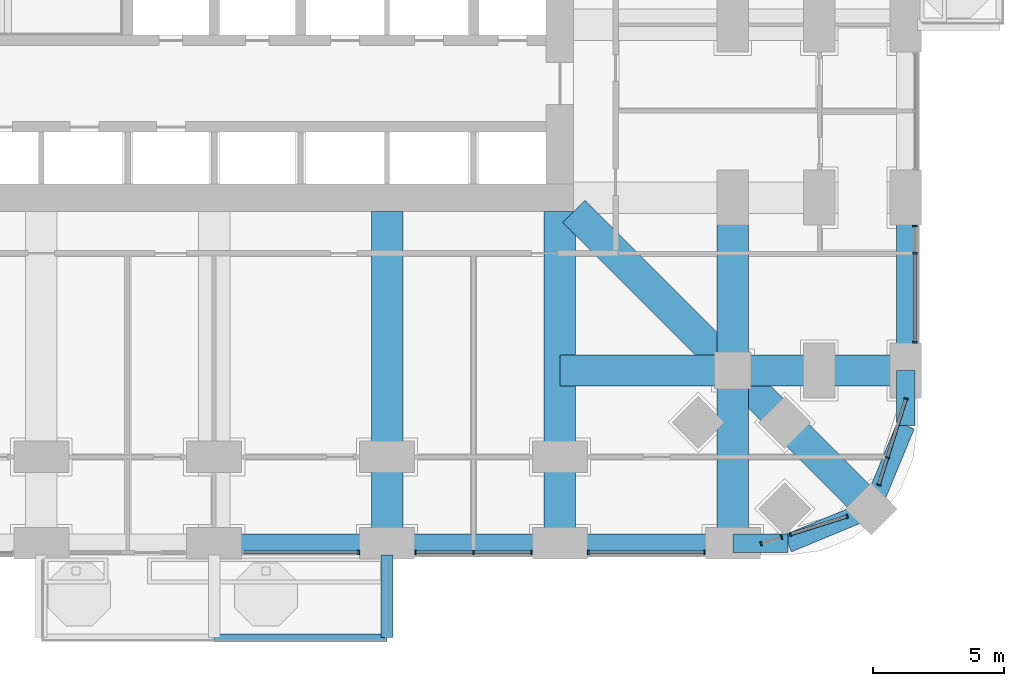
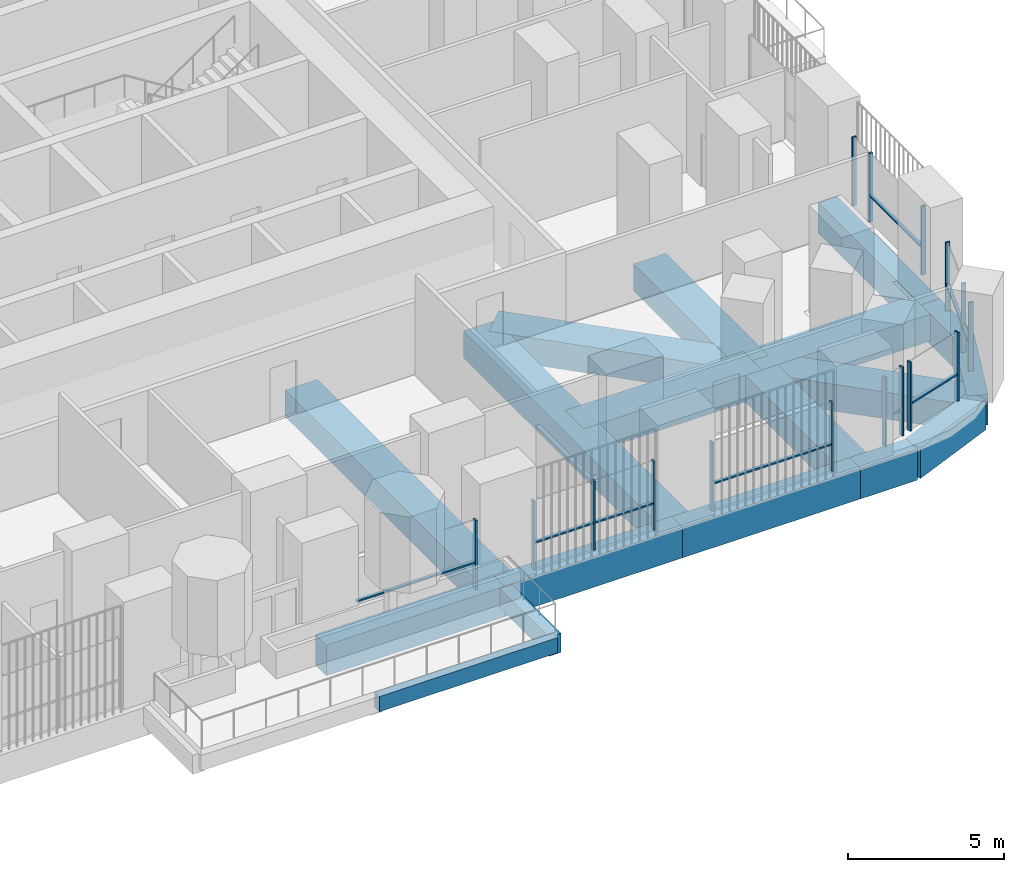
# One storey, part 4 of 26: 24 members, 18 beams, 7 elements without a shape of their own.
"""IFC4 building model written with IfcOpenShell, lengths in metres."""

from ifc_helpers import new_model, si_unit, direction, frame, origin, origin_2d, place, context, subcontext, project, spatial, rectangle, extrude, material, material_profile, profile_set, type_object, element, aggregate, save


model = new_model("IFC4")

# Units and contexts
model_context = context("Model", 3, precision=1e-05, world=origin(), true_north=direction((0.0, 1.0)))
body_context = subcontext(model_context, "Body", "Model", "MODEL_VIEW")
ifc_project = project(units=[si_unit("LENGTHUNIT", "METRE"), si_unit("AREAUNIT", "SQUARE_METRE"), si_unit("VOLUMEUNIT", "CUBIC_METRE"), si_unit("PLANEANGLEUNIT", "RADIAN"), si_unit("MASSUNIT", "GRAM", prefix="KILO")], contexts=[model_context])

# Site, building, storey
site_placement = place(None, origin())
site = spatial("IfcSite", under=ifc_project, at=site_placement, CompositionType="ELEMENT")
building_placement = place(site_placement, origin())
building = spatial("IfcBuilding", under=site, at=building_placement, Name="Cobogo Forest Laboratory Tower", CompositionType="ELEMENT")
storey_placement = place(building_placement, frame((0.0, 0.0, 33.89990234375)))
storey = spatial("IfcBuildingStorey", under=building, at=storey_placement, Name="L07", CompositionType="ELEMENT", Elevation=33.89990234375)

# Beams
ifc_material_1 = material(Name="Concrete HA-40 (C40/50)", Category="concrete")
ifc_material_profile_1 = material_profile(ifc_material_1, rectangle(XDim=0.449951171875, YDim=0.75, at=origin_2d()), Name="RC 450x750")
ifc_profile_set_1 = profile_set([ifc_material_profile_1], Name="Concrete HA-40 (C40/50)")
beam_type_1 = type_object("IfcBeamType", Name="Balcony cantilever beam 450x750", PredefinedType="BEAM", material=ifc_profile_set_1)
beam_1_placement = place(storey_placement, frame((33.0, -0.449951171875, -0.625), z_axis=(0.0, -1.0, 0.0), x_axis=(1.0, 0.0, 0.0)))
element("IfcBeam", 1, at=beam_1_placement, inside=storey, type_object=beam_type_1, Name="CB1 BAL-S1-C3 L07", PredefinedType="BEAM", context=body_context, shape_type="SweptSolid", body=[
    extrude(rectangle(XDim=0.449951171875, YDim=0.75, at=origin_2d()), origin(), (0.0, 0.0, 1.0), 3.150146484375),
])
ifc_material_profile_2 = material_profile(ifc_material_1, rectangle(XDim=0.300048828125, YDim=0.60009765625, at=origin_2d()), Name="RC 300x600")
ifc_profile_set_2 = profile_set([ifc_material_profile_2], Name="Concrete HA-40 (C40/50)")
beam_type_2 = type_object("IfcBeamType", Name="Balcony edge beam 300x600", PredefinedType="BEAM", material=ifc_profile_set_2)
beam_2_placement = place(storey_placement, frame((26.39990234375, -3.60009765625, -0.5498046875), z_axis=(1.0, 0.0, 0.0), x_axis=(0.0, 1.0, 0.0)))
element("IfcBeam", 2, at=beam_2_placement, inside=storey, type_object=beam_type_2, Name="BB1 BAL-S1-T2 L07", PredefinedType="BEAM", context=body_context, shape_type="SweptSolid", body=[
    extrude(rectangle(XDim=0.300048828125, YDim=0.60009765625, at=origin_2d()), origin(), (0.0, 0.0, 1.0), 6.60009765625),
])
ifc_material_profile_3 = material_profile(ifc_material_1, rectangle(XDim=1.199951171875, YDim=1.050048828125, at=origin_2d()), Name="RC 1200x1050")
ifc_profile_set_3 = profile_set([ifc_material_profile_3], Name="Concrete HA-40 (C40/50)")
beam_type_3 = type_object("IfcBeamType", Name="Laboratory floor wide beam 1200x1050", PredefinedType="BEAM", material=ifc_profile_set_3)
for number, where, z_axis, x_axis, name in (
    (3, (33.0, 12.675048828125, -0.824951171875), (0.0, -1.0, 0.0), (1.0, 0.0, 0.0), "RB1 R-6-S L07"),
    (4, (39.60009765625, 12.675048828125, -0.824951171875), (0.0, -1.0, 0.0), (1.0, 0.0, 0.0), "RB1 R-7-S L07"),
):
    element("IfcBeam", number, at=place(storey_placement, frame(where, z_axis=z_axis, x_axis=x_axis)), inside=storey, type_object=beam_type_3, Name=name, PredefinedType="BEAM", context=body_context, shape_type="SweptSolid", body=[
        extrude(rectangle(XDim=1.199951171875, YDim=1.050048828125, at=origin_2d()), origin(), (0.0, 0.0, 1.0), 12.675048828125),
    ])
beam_3_placement = place(storey_placement, frame((46.199951171875, 0.0, -0.824951171875), z_axis=(0.0, 1.0, 0.0), x_axis=(-1.0, 0.0, 0.0)))
element("IfcBeam", 5, at=beam_3_placement, inside=storey, type_object=beam_type_3, Name="RB1 G-SE-XF L07", PredefinedType="BEAM", context=body_context, shape_type="SweptSolid", body=[
    extrude(rectangle(XDim=1.199951171875, YDim=1.050048828125, at=origin_2d()), origin(), (0.0, 0.0, 1.0), 6.60009765625),
])
beam_4_placement = place(storey_placement, frame((46.199951171875, 6.60009765625, -0.824951171875), z_axis=(0.0, 1.0, 0.0), x_axis=(-1.0, 0.0, 0.0)))
element("IfcBeam", 6, at=beam_4_placement, inside=storey, type_object=beam_type_3, Name="RB1 G-SE-XC L07", PredefinedType="BEAM", context=body_context, shape_type="SweptSolid", body=[
    extrude(rectangle(XDim=1.199951171875, YDim=1.050048828125, at=origin_2d()), origin(), (0.0, 0.0, 1.0), 6.599853515625),
])
beam_5_placement = place(storey_placement, frame((52.800048828125, 6.60009765625, -0.824951171875), z_axis=(-1.0, 0.0, 0.0), x_axis=(0.0, -1.0, 0.0)))
element("IfcBeam", 7, at=beam_5_placement, inside=storey, type_object=beam_type_3, Name="RB1 G-SE-YF L07", PredefinedType="BEAM", context=body_context, shape_type="SweptSolid", body=[
    extrude(rectangle(XDim=1.199951171875, YDim=1.050048828125, at=origin_2d()), origin(), (0.0, 0.0, 1.0), 6.60009765625),
])
beam_6_placement = place(storey_placement, frame((46.199951171875, 6.60009765625, -0.824951171875), z_axis=(-1.0, 0.0, 0.0), x_axis=(0.0, -1.0, 0.0)))
element("IfcBeam", 8, at=beam_6_placement, inside=storey, type_object=beam_type_3, Name="RB1 G-SE-YC L07", PredefinedType="BEAM", context=body_context, shape_type="SweptSolid", body=[
    extrude(rectangle(XDim=1.199951171875, YDim=1.050048828125, at=origin_2d()), origin(), (0.0, 0.0, 1.0), 6.599853515625),
])
beam_7_placement = place(storey_placement, frame((51.48193359375, 1.318115234375, -0.824951171875), z_axis=(-0.707106781187, 0.707106781187, 0.0), x_axis=(-0.707106781187, -0.707106781187, 0.0)))
element("IfcBeam", 9, at=beam_7_placement, inside=storey, type_object=beam_type_3, Name="RB1 G-SE-D1 L07", PredefinedType="BEAM", context=body_context, shape_type="SweptSolid", body=[
    extrude(rectangle(XDim=1.199951171875, YDim=1.050048828125, at=origin_2d()), origin(), (0.0, 0.0, 1.0), 7.469970703125),
])
beam_8_placement = place(storey_placement, frame((46.199951171875, 6.60009765625, -0.824951171875), z_axis=(-0.707106781187, 0.707106781187, 0.0), x_axis=(-0.707106781187, -0.707106781187, 0.0)))
element("IfcBeam", 10, at=beam_8_placement, inside=storey, type_object=beam_type_3, Name="RB1 G-SE-D2 L07", PredefinedType="BEAM", context=body_context, shape_type="SweptSolid", body=[
    extrude(rectangle(XDim=1.199951171875, YDim=1.050048828125, at=origin_2d()), origin(), (0.0, 0.0, 1.0), 8.59130859375),
])

# Curtain wall, member
ifc_material_2 = material(Name="Aluminium curtain wall", Category="aluminium")
curtain_wall_type = type_object("IfcCurtainWallType", Name="CW-1 unitised curtain wall, clear glazing, laboratory floors zones A and B", PredefinedType="USERDEFINED", material=ifc_material_2)
curtain_wall_1_placement = place(storey_placement, origin())
curtain_wall_1 = element("IfcCurtainWall", 11, at=curtain_wall_1_placement, inside=storey, type_object=curtain_wall_type, Name="Curtain wall 04 L07", ObjectType="UNITISED CURTAIN WALL", PredefinedType="USERDEFINED")
ifc_material_3 = material(Name="Aluminium mullion", Category="aluminium")
ifc_material_profile_4 = material_profile(ifc_material_3, rectangle(XDim=0.06005859375, YDim=0.159912109375, at=origin_2d()), Name="AL 60x160")
ifc_profile_set_4 = profile_set([ifc_material_profile_4], Name="Aluminium mullion")
member_type_1 = type_object("IfcMemberType", Name="MU-1 aluminium mullion 60x160", PredefinedType="MULLION", material=ifc_profile_set_4)
member_1_placement = place(storey_placement, frame((31.919921875, -0.35009765625, 0.0), z_axis=(0.0, 0.0, 1.0), x_axis=(1.0, 0.0, 0.0)))
member_1 = element("IfcMember", 12, at=member_1_placement, type_object=member_type_1, Name="CW-1 mullion 2", PredefinedType="MULLION", context=body_context, shape_type="SweptSolid", body=[
    extrude(rectangle(XDim=0.06005859375, YDim=0.159912109375, at=origin_2d()), origin(), (0.0, 0.0, 1.0), 2.7001953125),
])

# Curtain wall, members
curtain_wall_2_placement = place(storey_placement, origin())
curtain_wall_2 = element("IfcCurtainWall", 13, at=curtain_wall_2_placement, inside=storey, type_object=curtain_wall_type, Name="Curtain wall 05 L07", ObjectType="UNITISED CURTAIN WALL", PredefinedType="USERDEFINED")
member_2_placement = place(storey_placement, frame((34.080078125, -0.35009765625, 0.0), z_axis=(0.0, 0.0, 1.0), x_axis=(1.0, 0.0, 0.0)))
member_2 = element("IfcMember", 14, at=member_2_placement, type_object=member_type_1, Name="CW-1 mullion 1", PredefinedType="MULLION", context=body_context, shape_type="SweptSolid", body=[
    extrude(rectangle(XDim=0.06005859375, YDim=0.159912109375, at=origin_2d()), origin(), (0.0, 0.0, 1.0), 2.7001953125),
])
member_3_placement = place(storey_placement, frame((36.300048828125, -0.35009765625, 0.0), z_axis=(0.0, 0.0, 1.0), x_axis=(1.0, 0.0, 0.0)))
member_3 = element("IfcMember", 15, at=member_3_placement, type_object=member_type_1, Name="CW-1 mullion 2", PredefinedType="MULLION", context=body_context, shape_type="SweptSolid", body=[
    extrude(rectangle(XDim=0.06005859375, YDim=0.159912109375, at=origin_2d()), origin(), (0.0, 0.0, 1.0), 2.7001953125),
])
member_4_placement = place(storey_placement, frame((38.52001953125, -0.35009765625, 0.0), z_axis=(0.0, 0.0, 1.0), x_axis=(1.0, 0.0, 0.0)))
member_4 = element("IfcMember", 16, at=member_4_placement, type_object=member_type_1, Name="CW-1 mullion 3", PredefinedType="MULLION", context=body_context, shape_type="SweptSolid", body=[
    extrude(rectangle(XDim=0.06005859375, YDim=0.159912109375, at=origin_2d()), origin(), (0.0, 0.0, 1.0), 2.7001953125),
])

curtain_wall_3_placement = place(storey_placement, origin())
curtain_wall_3 = element("IfcCurtainWall", 17, at=curtain_wall_3_placement, inside=storey, type_object=curtain_wall_type, Name="Curtain wall 06 L07", ObjectType="UNITISED CURTAIN WALL", PredefinedType="USERDEFINED")
member_5_placement = place(storey_placement, frame((40.679931640625, -0.35009765625, 0.0), z_axis=(0.0, 0.0, 1.0), x_axis=(1.0, 0.0, 0.0)))
member_5 = element("IfcMember", 18, at=member_5_placement, type_object=member_type_1, Name="CW-1 mullion 1", PredefinedType="MULLION", context=body_context, shape_type="SweptSolid", body=[
    extrude(rectangle(XDim=0.06005859375, YDim=0.159912109375, at=origin_2d()), origin(), (0.0, 0.0, 1.0), 2.7001953125),
])
member_6_placement = place(storey_placement, frame((45.1201171875, -0.35009765625, 0.0), z_axis=(0.0, 0.0, 1.0), x_axis=(1.0, 0.0, 0.0)))
member_6 = element("IfcMember", 19, at=member_6_placement, type_object=member_type_1, Name="CW-1 mullion 2", PredefinedType="MULLION", context=body_context, shape_type="SweptSolid", body=[
    extrude(rectangle(XDim=0.06005859375, YDim=0.159912109375, at=origin_2d()), origin(), (0.0, 0.0, 1.0), 2.7001953125),
])

curtain_wall_4_placement = place(storey_placement, origin())
curtain_wall_4 = element("IfcCurtainWall", 20, at=curtain_wall_4_placement, inside=storey, type_object=curtain_wall_type, Name="Curtain wall 07 L07", ObjectType="UNITISED CURTAIN WALL", PredefinedType="USERDEFINED")
member_7_placement = place(storey_placement, frame((47.278564453125, -0.00927734375, 0.0), z_axis=(0.0, 0.0, 1.0), x_axis=(0.953581504428, 0.301135043481, 0.0)))
member_7 = element("IfcMember", 21, at=member_7_placement, type_object=member_type_1, Name="CW-1 mullion 1", PredefinedType="MULLION", context=body_context, shape_type="SweptSolid", body=[
    extrude(rectangle(XDim=0.06005859375, YDim=0.159912109375, at=origin_2d()), origin(), (0.0, 0.0, 1.0), 2.7001953125),
])
member_8_placement = place(storey_placement, frame((48.05322265625, 0.2353515625, 0.0), z_axis=(0.0, 0.0, 1.0), x_axis=(0.953581504428, 0.301135043481, 0.0)))
member_8 = element("IfcMember", 22, at=member_8_placement, type_object=member_type_1, Name="CW-1 mullion 2", PredefinedType="MULLION", context=body_context, shape_type="SweptSolid", body=[
    extrude(rectangle(XDim=0.06005859375, YDim=0.159912109375, at=origin_2d()), origin(), (0.0, 0.0, 1.0), 2.7001953125),
])
aggregate(curtain_wall_4, [member_7, member_8])

curtain_wall_5_placement = place(storey_placement, origin())
curtain_wall_5 = element("IfcCurtainWall", 23, at=curtain_wall_5_placement, inside=storey, type_object=curtain_wall_type, Name="Curtain wall 08 L07", ObjectType="UNITISED CURTAIN WALL", PredefinedType="USERDEFINED")
member_9_placement = place(storey_placement, frame((48.403076171875, 0.345703125, 0.0), z_axis=(0.0, 0.0, 1.0), x_axis=(0.953581409645, 0.301135343623, 0.0)))
member_9 = element("IfcMember", 24, at=member_9_placement, type_object=member_type_1, Name="CW-1 mullion 1", PredefinedType="MULLION", context=body_context, shape_type="SweptSolid", body=[
    extrude(rectangle(XDim=0.06005859375, YDim=0.159912109375, at=origin_2d()), origin(), (0.0, 0.0, 1.0), 2.7001953125),
])
member_10_placement = place(storey_placement, frame((50.561279296875, 1.02734375, 0.0), z_axis=(0.0, 0.0, 1.0), x_axis=(0.953581409645, 0.301135343623, 0.0)))
member_10 = element("IfcMember", 25, at=member_10_placement, type_object=member_type_1, Name="CW-1 mullion 2", PredefinedType="MULLION", context=body_context, shape_type="SweptSolid", body=[
    extrude(rectangle(XDim=0.06005859375, YDim=0.159912109375, at=origin_2d()), origin(), (0.0, 0.0, 1.0), 2.7001953125),
])

curtain_wall_6_placement = place(storey_placement, origin())
curtain_wall_6 = element("IfcCurtainWall", 26, at=curtain_wall_6_placement, inside=storey, type_object=curtain_wall_type, Name="Curtain wall 09 L07", ObjectType="UNITISED CURTAIN WALL", PredefinedType="USERDEFINED")
member_11_placement = place(storey_placement, frame((51.772705078125, 2.23876953125, 0.0), z_axis=(0.0, 0.0, 1.0), x_axis=(0.30113535792, 0.95358140513, 0.0)))
member_11 = element("IfcMember", 27, at=member_11_placement, type_object=member_type_1, Name="CW-1 mullion 1", PredefinedType="MULLION", context=body_context, shape_type="SweptSolid", body=[
    extrude(rectangle(XDim=0.06005859375, YDim=0.159912109375, at=origin_2d()), origin(), (0.0, 0.0, 1.0), 2.7001953125),
])
member_12_placement = place(storey_placement, frame((52.100341796875, 3.27587890625, 0.0), z_axis=(0.0, 0.0, 1.0), x_axis=(0.30113535792, 0.95358140513, 0.0)))
member_12 = element("IfcMember", 28, at=member_12_placement, type_object=member_type_1, Name="CW-1 mullion 2", PredefinedType="MULLION", context=body_context, shape_type="SweptSolid", body=[
    extrude(rectangle(XDim=0.06005859375, YDim=0.159912109375, at=origin_2d()), origin(), (0.0, 0.0, 1.0), 2.7001953125),
])
member_13_placement = place(storey_placement, frame((52.809326171875, 5.521484375, 0.0), z_axis=(0.0, 0.0, 1.0), x_axis=(0.30113535792, 0.95358140513, 0.0)))
member_13 = element("IfcMember", 29, at=member_13_placement, type_object=member_type_1, Name="CW-1 mullion 3", PredefinedType="MULLION", context=body_context, shape_type="SweptSolid", body=[
    extrude(rectangle(XDim=0.06005859375, YDim=0.159912109375, at=origin_2d()), origin(), (0.0, 0.0, 1.0), 2.7001953125),
])

curtain_wall_7_placement = place(storey_placement, origin())
curtain_wall_7 = element("IfcCurtainWall", 30, at=curtain_wall_7_placement, inside=storey, type_object=curtain_wall_type, Name="Curtain wall 10 L07", ObjectType="UNITISED CURTAIN WALL", PredefinedType="USERDEFINED")
member_14_placement = place(storey_placement, frame((53.14990234375, 7.679931640625, 0.0), z_axis=(0.0, 0.0, 1.0), x_axis=(0.0, 1.0, 0.0)))
member_14 = element("IfcMember", 31, at=member_14_placement, type_object=member_type_1, Name="CW-1 mullion 1", PredefinedType="MULLION", context=body_context, shape_type="SweptSolid", body=[
    extrude(rectangle(XDim=0.06005859375, YDim=0.159912109375, at=origin_2d()), origin(), (0.0, 0.0, 1.0), 2.7001953125),
])
member_15_placement = place(storey_placement, frame((53.14990234375, 11.074951171875, 0.0), z_axis=(0.0, 0.0, 1.0), x_axis=(0.0, 1.0, 0.0)))
member_15 = element("IfcMember", 32, at=member_15_placement, type_object=member_type_1, Name="CW-1 mullion 2", PredefinedType="MULLION", context=body_context, shape_type="SweptSolid", body=[
    extrude(rectangle(XDim=0.06005859375, YDim=0.159912109375, at=origin_2d()), origin(), (0.0, 0.0, 1.0), 2.7001953125),
])
member_16_placement = place(storey_placement, frame((53.14990234375, 12.1201171875, 0.0), z_axis=(0.0, 0.0, 1.0), x_axis=(0.0, 1.0, 0.0)))
member_16 = element("IfcMember", 33, at=member_16_placement, type_object=member_type_1, Name="CW-1 mullion 3", PredefinedType="MULLION", context=body_context, shape_type="SweptSolid", body=[
    extrude(rectangle(XDim=0.06005859375, YDim=0.159912109375, at=origin_2d()), origin(), (0.0, 0.0, 1.0), 2.7001953125),
])

# Beams
ifc_material_profile_5 = material_profile(ifc_material_1, rectangle(XDim=0.699951171875, YDim=1.199951171875, at=origin_2d()), Name="RC 700x1200")
ifc_profile_set_5 = profile_set([ifc_material_profile_5], Name="Concrete HA-40 (C40/50)")
beam_type_4 = type_object("IfcBeamType", Name="Perimeter edge beam 700x1200", PredefinedType="BEAM", material=ifc_profile_set_5)
for number, where, z_axis, x_axis, name in (
    (34, (26.39990234375, 0.0, -0.89990234375), (1.0, 0.0, 0.0), (0.0, 1.0, 0.0), "EB1 E-S4 L07"),
    (35, (33.0, 0.0, -0.89990234375), (1.0, 0.0, 0.0), (0.0, 1.0, 0.0), "EB1 E-S5 L07"),
):
    element("IfcBeam", number, at=place(storey_placement, frame(where, z_axis=z_axis, x_axis=x_axis)), inside=storey, type_object=beam_type_4, Name=name, PredefinedType="BEAM", context=body_context, shape_type="SweptSolid", body=[
        extrude(rectangle(XDim=0.699951171875, YDim=1.199951171875, at=origin_2d()), origin(), (0.0, 0.0, 1.0), 6.60009765625),
    ])
for number, where, z_axis, x_axis, name in (
    (36, (39.60009765625, 0.0, -0.89990234375), (1.0, 0.0, 0.0), (0.0, 1.0, 0.0), "EB1 E-S6 L07"),
    (37, (52.800048828125, 6.60009765625, -0.89990234375), (0.0, 1.0, 0.0), (-1.0, 0.0, 0.0), "EB1 E-E1 L07"),
):
    element("IfcBeam", number, at=place(storey_placement, frame(where, z_axis=z_axis, x_axis=x_axis)), inside=storey, type_object=beam_type_4, Name=name, PredefinedType="BEAM", context=body_context, shape_type="SweptSolid", body=[
        extrude(rectangle(XDim=0.699951171875, YDim=1.199951171875, at=origin_2d()), origin(), (0.0, 0.0, 1.0), 6.599853515625),
    ])
beam_9_placement = place(storey_placement, frame((46.199951171875, 0.0, -0.89990234375), z_axis=(1.0, 0.0, 0.0), x_axis=(0.0, 1.0, 0.0)))
element("IfcBeam", 38, at=beam_9_placement, inside=storey, type_object=beam_type_4, Name="EB1 E-SES1 L07", PredefinedType="BEAM", context=body_context, shape_type="SweptSolid", body=[
    extrude(rectangle(XDim=0.699951171875, YDim=1.199951171875, at=origin_2d()), origin(), (0.0, 0.0, 1.0), 2.10009765625),
])
beam_10_placement = place(storey_placement, frame((48.300048828125, 0.0, -0.89990234375), z_axis=(0.923865631356, 0.382716990999, 0.0), x_axis=(-0.382716990999, 0.923865631356, 0.0)))
element("IfcBeam", 39, at=beam_10_placement, inside=storey, type_object=beam_type_4, Name="EB1 E-SES2 L07", PredefinedType="BEAM", context=body_context, shape_type="SweptSolid", body=[
    extrude(rectangle(XDim=0.699951171875, YDim=1.199951171875, at=origin_2d()), origin(), (0.0, 0.0, 1.0), 3.444091796875),
])
beam_11_placement = place(storey_placement, frame((52.800048828125, 6.60009765625, -0.89990234375), z_axis=(0.0, -1.0, 0.0), x_axis=(1.0, 0.0, 0.0)))
element("IfcBeam", 40, at=beam_11_placement, inside=storey, type_object=beam_type_4, Name="EB1 E-SEE1 L07", PredefinedType="BEAM", context=body_context, shape_type="SweptSolid", body=[
    extrude(rectangle(XDim=0.699951171875, YDim=1.199951171875, at=origin_2d()), origin(), (0.0, 0.0, 1.0), 2.10009765625),
])
beam_12_placement = place(storey_placement, frame((52.800048828125, 4.5, -0.89990234375), z_axis=(-0.382716990999, -0.923865631356, 0.0), x_axis=(0.923865631356, -0.382716990999, 0.0)))
element("IfcBeam", 41, at=beam_12_placement, inside=storey, type_object=beam_type_4, Name="EB1 E-SEE2 L07", PredefinedType="BEAM", context=body_context, shape_type="SweptSolid", body=[
    extrude(rectangle(XDim=0.699951171875, YDim=1.199951171875, at=origin_2d()), origin(), (0.0, 0.0, 1.0), 3.444091796875),
])

# Member
ifc_material_4 = material(Name="Aluminium transom", Category="aluminium")
ifc_material_profile_6 = material_profile(ifc_material_4, rectangle(XDim=0.1201171875, YDim=0.06005859375, at=origin_2d()), Name="AL 60x120")
ifc_profile_set_6 = profile_set([ifc_material_profile_6], Name="Aluminium transom")
member_type_2 = type_object("IfcMemberType", Name="TR-1 aluminium transom 60x120", PredefinedType="USERDEFINED", material=ifc_profile_set_6)
member_17_placement = place(storey_placement, frame((27.510009765625, -0.35009765625, 1.050048828125), z_axis=(1.0, 0.0, 0.0), x_axis=(0.0, 1.0, 0.0)))
member_17 = element("IfcMember", 42, at=member_17_placement, type_object=member_type_2, Name="CW-1 transom 1.1", ObjectType="TRANSOM", PredefinedType="USERDEFINED", context=body_context, shape_type="SweptSolid", body=[
    extrude(rectangle(XDim=0.1201171875, YDim=0.06005859375, at=origin_2d()), origin(), (0.0, 0.0, 1.0), 4.3798828125),
])

aggregate(curtain_wall_1, [member_1, member_17])

member_18_placement = place(storey_placement, frame((34.110107421875, -0.35009765625, 1.050048828125), z_axis=(1.0, 0.0, 0.0), x_axis=(0.0, 1.0, 0.0)))
member_18 = element("IfcMember", 43, at=member_18_placement, type_object=member_type_2, Name="CW-1 transom 1.1", ObjectType="TRANSOM", PredefinedType="USERDEFINED", context=body_context, shape_type="SweptSolid", body=[
    extrude(rectangle(XDim=0.1201171875, YDim=0.06005859375, at=origin_2d()), origin(), (0.0, 0.0, 1.0), 2.159912109375),
])

member_19_placement = place(storey_placement, frame((36.330078125, -0.35009765625, 1.050048828125), z_axis=(1.0, 0.0, 0.0), x_axis=(0.0, 1.0, 0.0)))
member_19 = element("IfcMember", 44, at=member_19_placement, type_object=member_type_2, Name="CW-1 transom 2.1", ObjectType="TRANSOM", PredefinedType="USERDEFINED", context=body_context, shape_type="SweptSolid", body=[
    extrude(rectangle(XDim=0.1201171875, YDim=0.06005859375, at=origin_2d()), origin(), (0.0, 0.0, 1.0), 2.159912109375),
])

aggregate(curtain_wall_2, [member_2, member_3, member_4, member_18, member_19])

member_20_placement = place(storey_placement, frame((40.7099609375, -0.35009765625, 1.050048828125), z_axis=(1.0, 0.0, 0.0), x_axis=(0.0, 1.0, 0.0)))
member_20 = element("IfcMember", 45, at=member_20_placement, type_object=member_type_2, Name="CW-1 transom 1.1", ObjectType="TRANSOM", PredefinedType="USERDEFINED", context=body_context, shape_type="SweptSolid", body=[
    extrude(rectangle(XDim=0.1201171875, YDim=0.06005859375, at=origin_2d()), origin(), (0.0, 0.0, 1.0), 4.380126953125),
])

aggregate(curtain_wall_3, [member_5, member_6, member_20])

member_21_placement = place(storey_placement, frame((48.431640625, 0.354736328125, 1.050048828125), z_axis=(0.953572616955, 0.301163185322, 0.0), x_axis=(-0.301163185322, 0.953572616955, 0.0)))
member_21 = element("IfcMember", 46, at=member_21_placement, type_object=member_type_2, Name="CW-1 transom 1.1", ObjectType="TRANSOM", PredefinedType="USERDEFINED", context=body_context, shape_type="SweptSolid", body=[
    extrude(rectangle(XDim=0.1201171875, YDim=0.06005859375, at=origin_2d()), origin(), (0.0, 0.0, 1.0), 2.203369140625),
])

aggregate(curtain_wall_5, [member_9, member_10, member_21])

member_22_placement = place(storey_placement, frame((51.78173828125, 2.267333984375, 1.050048828125), z_axis=(0.301222320394, 0.953553938535, 0.0), x_axis=(-0.953553938535, 0.301222320394, 0.0)))
member_22 = element("IfcMember", 47, at=member_22_placement, type_object=member_type_2, Name="CW-1 transom 1.1", ObjectType="TRANSOM", PredefinedType="USERDEFINED", context=body_context, shape_type="SweptSolid", body=[
    extrude(rectangle(XDim=0.1201171875, YDim=0.06005859375, at=origin_2d()), origin(), (0.0, 0.0, 1.0), 1.02783203125),
])

member_23_placement = place(storey_placement, frame((52.109375, 3.304443359375, 1.050048828125), z_axis=(0.301090633022, 0.953595527835, 0.0), x_axis=(-0.953595527835, 0.301090633022, 0.0)))
member_23 = element("IfcMember", 48, at=member_23_placement, type_object=member_type_2, Name="CW-1 transom 2.1", ObjectType="TRANSOM", PredefinedType="USERDEFINED", context=body_context, shape_type="SweptSolid", body=[
    extrude(rectangle(XDim=0.1201171875, YDim=0.06005859375, at=origin_2d()), origin(), (0.0, 0.0, 1.0), 2.294677734375),
])

aggregate(curtain_wall_6, [member_11, member_12, member_13, member_22, member_23])

member_24_placement = place(storey_placement, frame((53.14990234375, 7.7099609375, 1.050048828125), z_axis=(0.0, 1.0, 0.0), x_axis=(-1.0, 0.0, 0.0)))
member_24 = element("IfcMember", 49, at=member_24_placement, type_object=member_type_2, Name="CW-1 transom 1.1", ObjectType="TRANSOM", PredefinedType="USERDEFINED", context=body_context, shape_type="SweptSolid", body=[
    extrude(rectangle(XDim=0.1201171875, YDim=0.06005859375, at=origin_2d()), origin(), (0.0, 0.0, 1.0), 3.3349609375),
])

aggregate(curtain_wall_7, [member_14, member_15, member_16, member_24])

save(model, "model.ifc")
